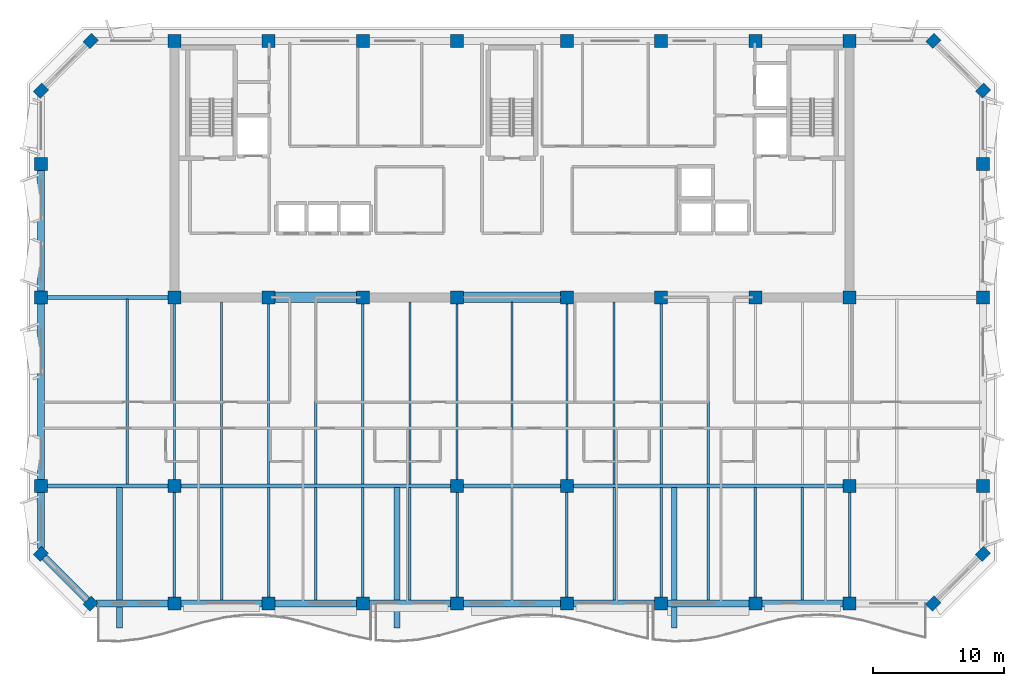
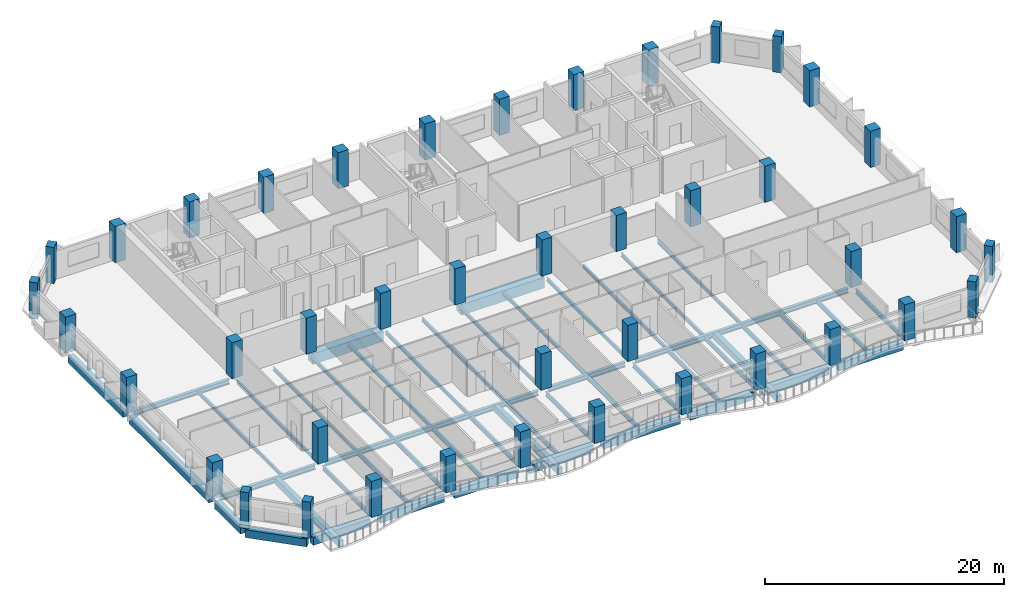
# One storey, part 1 of 11: 50 beams, 42 columns.
"""IFC4 building model written with IfcOpenShell, lengths in metres."""

import ifcopenshell
import ifcopenshell.guid

model = None  # the IFC model being written
_history = None  # IfcOwnerHistory: only IFC2X3 demands one
_inside = {}  # id of a spatial element -> (the spatial element, [elements in it])
_under = {}  # id of a project, library or spatial element -> (it, [spatial elements below it])
_declared = {}  # id of a project -> (the project, [libraries it declares])
_typed = {}  # id of a type object -> (the type object, [elements of that type])
_made_of = {}  # id of a material, layer set ... -> (it, [elements and type objects made of it])


def new_model(schema):
    """Start an empty IFC model of exactly this schema.

    Asked for "IFC4X3", IfcOpenShell would pick the latest addendum, in which some entities
    have other attributes; the version numbers below select the first issue.
    IFC2X3 requires an IfcOwnerHistory on every rooted entity: one is made here for all.
    """
    global model, _history
    if schema == "IFC4X3":
        model = ifcopenshell.file(schema_version=(4, 3, 0, 0))
    else:
        model = ifcopenshell.file(schema=schema)
    _inside.clear()
    _under.clear()
    _declared.clear()
    _typed.clear()
    _made_of.clear()
    _history = None
    if model.schema == "IFC2X3":
        org = make("IfcOrganization", Name="unknown")
        user = make(
            "IfcPersonAndOrganization",
            ThePerson=make("IfcPerson", FamilyName="unknown"),
            TheOrganization=org,
        )
        app = make(
            "IfcApplication",
            ApplicationDeveloper=org,
            Version="unknown",
            ApplicationFullName="unknown",
            ApplicationIdentifier="unknown",
        )
        _history = make(
            "IfcOwnerHistory",
            OwningUser=user,
            OwningApplication=app,
            ChangeAction="ADDED",
            CreationDate=0,
        )
    return model


def make(cls, **values):
    """One entity of the class cls with the attributes given. An attribute that is None is left unset."""
    return model.create_entity(
        cls, **{name: value for name, value in values.items() if value is not None}
    )


def rooted(cls, **values):
    """An entity with a GlobalId (a new one), such as an element, a storey or a relation."""
    return make(cls, GlobalId=ifcopenshell.guid.new(), OwnerHistory=_history, **values)


def si_unit(unit_type, name, prefix=None):
    """IfcSIUnit, for example si_unit("LENGTHUNIT", "METRE", prefix="MILLI")."""
    return make("IfcSIUnit", UnitType=unit_type, Prefix=prefix, Name=name)


def assignment(units):
    """IfcUnitAssignment: the units of a project."""
    return None if units is None else make("IfcUnitAssignment", Units=units)


def point(xyz):
    """IfcCartesianPoint."""
    return None if xyz is None else make("IfcCartesianPoint", Coordinates=xyz)


def direction(xyz):
    """IfcDirection."""
    return None if xyz is None else make("IfcDirection", DirectionRatios=xyz)


def frame(location, z_axis=None, x_axis=None):
    """IfcAxis2Placement3D, a coordinate frame: its origin and axes. An axis left out is left unset."""
    return make(
        "IfcAxis2Placement3D",
        Location=point(location),
        Axis=direction(z_axis),
        RefDirection=direction(x_axis),
    )


def frame_2d(location, x_axis=None):
    """IfcAxis2Placement2D, a coordinate frame in the plane: its origin and x axis."""
    return make(
        "IfcAxis2Placement2D", Location=point(location), RefDirection=direction(x_axis)
    )


def origin():
    """The frame at (0, 0, 0) with its axes left unset."""
    return frame((0.0, 0.0, 0.0))


def origin_2d():
    """The frame at (0, 0) in the plane with its x axis left unset."""
    return frame_2d((0.0, 0.0))


def place(relative_to, where):
    """IfcLocalPlacement: puts the frame where relative to a parent placement (None: the world)."""
    return make(
        "IfcLocalPlacement", PlacementRelTo=relative_to, RelativePlacement=where
    )


def context(
    kind, dimensions, precision=None, world=None, true_north=None, identifier=None
):
    """IfcGeometricRepresentationContext, for example the 3D "Model" context."""
    return make(
        "IfcGeometricRepresentationContext",
        ContextIdentifier=identifier,
        ContextType=kind,
        CoordinateSpaceDimension=dimensions,
        Precision=precision,
        WorldCoordinateSystem=world,
        TrueNorth=true_north,
    )


def subcontext(parent, identifier, kind, view, scale=None):
    """IfcGeometricRepresentationSubContext, for example "Body" below "Model"."""
    return make(
        "IfcGeometricRepresentationSubContext",
        ContextIdentifier=identifier,
        ContextType=kind,
        ParentContext=parent,
        TargetScale=scale,
        TargetView=view,
    )


def project(units=None, contexts=None):
    """IfcProject with its units and contexts."""
    return rooted(
        "IfcProject",
        Name="project",
        RepresentationContexts=contexts,
        UnitsInContext=assignment(units),
    )


def spatial(cls, under=None, at=None, **own):
    """A site, building, storey or space (cls), placed at a placement, below another one or the project."""
    s = rooted(cls, ObjectPlacement=at, **own)
    if under is not None:
        _under.setdefault(under.id(), (under, []))[1].append(s)
    return s


def profile(cls, at=None, kind="AREA", **sizes):
    """A parametric profile (cls). Its sizes go by their IFC names, for example OverallWidth=200.0."""
    return make(cls, ProfileType=kind, Position=at, **sizes)


def rectangle(**sizes):
    """IfcRectangleProfileDef."""
    return profile("IfcRectangleProfileDef", **sizes)


def i_section(**sizes):
    """IfcIShapeProfileDef."""
    return profile("IfcIShapeProfileDef", **sizes)


def extrude(swept, where, along, depth):
    """IfcExtrudedAreaSolid: the profile swept, set in the frame where, extruded along a direction by depth."""
    return make(
        "IfcExtrudedAreaSolid",
        SweptArea=swept,
        Position=where,
        ExtrudedDirection=direction(along),
        Depth=depth,
    )


def shape(context_of_items, identifier, shape_type, items):
    """IfcShapeRepresentation: the items that make up one representation, for example the "Body"."""
    return make(
        "IfcShapeRepresentation",
        ContextOfItems=context_of_items,
        RepresentationIdentifier=identifier,
        RepresentationType=shape_type,
        Items=items,
    )


def material(Name=None, Category=None):
    """IfcMaterial."""
    return make("IfcMaterial", Name=Name, Category=Category)


def material_profile(
    of_material, cross_section, Name=None, Category=None, Priority=None
):
    """IfcMaterialProfile: a cross section and its material."""
    return make(
        "IfcMaterialProfile",
        Name=Name,
        Material=of_material,
        Profile=cross_section,
        Priority=Priority,
        Category=Category,
    )


def profile_set(profiles, Name=None, composite=None):
    """IfcMaterialProfileSet."""
    return make(
        "IfcMaterialProfileSet",
        Name=Name,
        MaterialProfiles=profiles,
        CompositeProfile=composite,
    )


def made_of(thing, what):
    """Note that an element or type object is made of a material, layer set ...; save() writes the relation."""
    if what is not None:
        _made_of.setdefault(what.id(), (what, []))[1].append(thing)
    return thing


def type_object(cls, material=None, **own):
    """A type object (cls), such as IfcWallType, which elements share."""
    return made_of(rooted(cls, **own), material)


def element(
    cls,
    number,
    at=None,
    inside=None,
    cuts=None,
    type_object=None,
    material=None,
    context=None,
    identifier="Body",
    shape_type=None,
    held_by="IfcProductDefinitionShape",
    body=None,
    shapes=None,
    **own,
):
    """One element of the class cls, such as IfcWall. Its Tag is "e" and its number.

    at: its placement. inside: the storey or other place that contains it. cuts: it is an
    opening in that element (IfcRelVoidsElement). A single representation is given by context,
    identifier, shape_type and body (its items); several are given by shapes. held_by: the class
    of the entity that holds the representations. save() writes the other relations.
    """
    e = rooted(cls, Tag="e%d" % number, ObjectPlacement=at, **own)
    if body is not None:
        shapes = [shape(context, identifier, shape_type, body)]
    if shapes is not None:
        e.Representation = make(held_by, Representations=shapes)
    if inside is not None:
        _inside.setdefault(inside.id(), (inside, []))[1].append(e)
    if cuts is not None:
        rooted(
            "IfcRelVoidsElement", RelatingBuildingElement=cuts, RelatedOpeningElement=e
        )
    if type_object is not None:
        _typed.setdefault(type_object.id(), (type_object, []))[1].append(e)
    return made_of(e, material)


def aggregate(whole, parts):
    """IfcRelAggregates: a whole, such as a stair, and the parts it consists of."""
    return rooted("IfcRelAggregates", RelatingObject=whole, RelatedObjects=parts)


def save(model, path):
    """Write the relations noted so far, then the file.

    IfcRelAggregates (storeys below a building ...), IfcRelContainedInSpatialStructure (elements
    in a storey), IfcRelDefinesByType, IfcRelAssociatesMaterial and IfcRelDeclares: one each for
    every whole, place, type object, material and project.
    """
    for whole, parts in _under.values():
        aggregate(whole, parts)
    for where, things in _inside.values():
        rooted(
            "IfcRelContainedInSpatialStructure",
            RelatedElements=things,
            RelatingStructure=where,
        )
    for kind, things in _typed.values():
        rooted("IfcRelDefinesByType", RelatedObjects=things, RelatingType=kind)
    for what, things in _made_of.values():
        rooted("IfcRelAssociatesMaterial", RelatedObjects=things, RelatingMaterial=what)
    for by, libraries in _declared.values():
        rooted("IfcRelDeclares", RelatingContext=by, RelatedDefinitions=libraries)
    model.write(path)


model = new_model("IFC4")

# Units and contexts
model_context = context("Model", 3, precision=1e-05, world=origin(), true_north=direction((0.0, 1.0)))
body_context = subcontext(model_context, "Body", "Model", "MODEL_VIEW")
ifc_project = project(units=[si_unit("LENGTHUNIT", "METRE"), si_unit("AREAUNIT", "SQUARE_METRE"), si_unit("VOLUMEUNIT", "CUBIC_METRE"), si_unit("PLANEANGLEUNIT", "RADIAN"), si_unit("MASSUNIT", "GRAM", prefix="KILO")], contexts=[model_context])

# Site, building, storey
site_placement = place(None, origin())
site = spatial("IfcSite", under=ifc_project, at=site_placement, CompositionType="ELEMENT")
building_placement = place(site_placement, origin())
building = spatial("IfcBuilding", under=site, at=building_placement, Name="Kaelvorn Grand Hotel", CompositionType="ELEMENT")
storey_placement = place(building_placement, frame((0.0, 0.0, 248.89990234375)))
storey = spatial("IfcBuildingStorey", under=building, at=storey_placement, Name="L61", CompositionType="ELEMENT", Elevation=248.89990234375)

# Columns
ifc_material_1 = material(Name="Concrete C60/75", Category="concrete")
ifc_material_profile_1 = material_profile(ifc_material_1, rectangle(XDim=0.89990234375, YDim=0.75, at=origin_2d()), Name="RC PILASTER 900x750")
ifc_profile_set_1 = profile_set([ifc_material_profile_1], Name="Concrete C60/75")
column_type_1 = type_object("IfcColumnType", Name="COL-PIL-900x750-C60", PredefinedType="PILASTER", material=ifc_profile_set_1)
for number, where, z_axis, x_axis, name in (
    (1, (9.800048828125, 6.0, 0.0), (0.0, 0.0, 1.0), (0.707106781187, 0.707106781187, 0.0), "L61 Structural Column CH-01"),
    (2, (74.199951171875, 6.0, 0.0), (0.0, 0.0, 1.0), (0.707106781187, 0.707106781187, 0.0), "L61 Structural Column CH-02"),
    (3, (78.0, 9.800048828125, 0.0), (0.0, 0.0, 1.0), (0.707106781187, 0.707106781187, 0.0), "L61 Structural Column CH-03"),
    (4, (78.0, 45.199951171875, 0.0), (0.0, 0.0, 1.0), (0.707106781187, 0.707106781187, 0.0), "L61 Structural Column CH-04"),
    (5, (74.199951171875, 49.0, 0.0), (0.0, 0.0, 1.0), (0.707106781187, 0.707106781187, 0.0), "L61 Structural Column CH-05"),
    (6, (9.800048828125, 49.0, 0.0), (0.0, 0.0, 1.0), (0.707106781187, 0.707106781187, 0.0), "L61 Structural Column CH-06"),
    (7, (6.0, 45.199951171875, 0.0), (0.0, 0.0, 1.0), (0.707106781187, 0.707106781187, 0.0), "L61 Structural Column CH-07"),
    (8, (6.0, 9.800048828125, 0.0), (0.0, 0.0, 1.0), (0.707106781187, 0.707106781187, 0.0), "L61 Structural Column CH-08"),
):
    element("IfcColumn", number, at=place(storey_placement, frame(where, z_axis=z_axis, x_axis=x_axis)), inside=storey, type_object=column_type_1, Name=name, PredefinedType="PILASTER", context=body_context, shape_type="SweptSolid", body=[
        extrude(rectangle(XDim=0.89990234375, YDim=0.75, at=origin_2d()), origin(), (0.0, 0.0, 1.0), 3.710205078125),
    ])
ifc_material_2 = material(Name="Concrete C50/60", Category="concrete")
ifc_material_profile_2 = material_profile(ifc_material_2, rectangle(XDim=1.0, YDim=1.0, at=origin_2d()), Name="RC COL 1000x1000")
ifc_profile_set_2 = profile_set([ifc_material_profile_2], Name="Concrete C50/60")
column_type_2 = type_object("IfcColumnType", Name="COL-RC-1000-C50", PredefinedType="COLUMN", material=ifc_profile_set_2)
for number, where, z_axis, x_axis, name in (
    (9, (16.199951171875, 6.0, 0.0), (0.0, 0.0, 1.0), (1.0, 0.0, 0.0), "L61 Structural Column S-01"),
    (10, (23.39990234375, 6.0, 0.0), (0.0, 0.0, 1.0), (1.0, 0.0, 0.0), "L61 Structural Column S-02"),
    (11, (30.60009765625, 6.0, 0.0), (0.0, 0.0, 1.0), (1.0, 0.0, 0.0), "L61 Structural Column S-03"),
    (12, (37.800048828125, 6.0, 0.0), (0.0, 0.0, 1.0), (1.0, 0.0, 0.0), "L61 Structural Column S-04"),
    (13, (46.199951171875, 6.0, 0.0), (0.0, 0.0, 1.0), (1.0, 0.0, 0.0), "L61 Structural Column S-05"),
    (14, (53.39990234375, 6.0, 0.0), (0.0, 0.0, 1.0), (1.0, 0.0, 0.0), "L61 Structural Column S-06"),
    (15, (60.60009765625, 6.0, 0.0), (0.0, 0.0, 1.0), (1.0, 0.0, 0.0), "L61 Structural Column S-07"),
    (16, (67.800048828125, 6.0, 0.0), (0.0, 0.0, 1.0), (1.0, 0.0, 0.0), "L61 Structural Column S-08"),
    (17, (6.0, 15.0, 0.0), (0.0, 0.0, 1.0), (1.0, 0.0, 0.0), "L61 Structural Column W-01"),
    (18, (78.0, 15.0, 0.0), (0.0, 0.0, 1.0), (1.0, 0.0, 0.0), "L61 Structural Column E-01"),
    (19, (6.0, 29.39990234375, 0.0), (0.0, 0.0, 1.0), (1.0, 0.0, 0.0), "L61 Structural Column W-02"),
    (20, (78.0, 29.39990234375, 0.0), (0.0, 0.0, 1.0), (1.0, 0.0, 0.0), "L61 Structural Column E-02"),
    (21, (6.0, 39.60009765625, 0.0), (0.0, 0.0, 1.0), (1.0, 0.0, 0.0), "L61 Structural Column W-03"),
    (22, (78.0, 39.60009765625, 0.0), (0.0, 0.0, 1.0), (1.0, 0.0, 0.0), "L61 Structural Column E-03"),
    (23, (16.199951171875, 15.0, 0.0), (0.0, 0.0, 1.0), (1.0, 0.0, 0.0), "L61 Structural Column M-01"),
    (24, (37.800048828125, 15.0, 0.0), (0.0, 0.0, 1.0), (1.0, 0.0, 0.0), "L61 Structural Column M-02"),
    (25, (46.199951171875, 15.0, 0.0), (0.0, 0.0, 1.0), (1.0, 0.0, 0.0), "L61 Structural Column M-03"),
    (26, (67.800048828125, 15.0, 0.0), (0.0, 0.0, 1.0), (1.0, 0.0, 0.0), "L61 Structural Column M-04"),
    (27, (16.199951171875, 29.39990234375, 0.0), (0.0, 0.0, 1.0), (1.0, 0.0, 0.0), "L61 Structural Column CR1-01"),
    (28, (16.199951171875, 49.0, 0.0), (0.0, 0.0, 1.0), (1.0, 0.0, 0.0), "L61 Structural Column CR2-01"),
    (29, (23.39990234375, 29.39990234375, 0.0), (0.0, 0.0, 1.0), (1.0, 0.0, 0.0), "L61 Structural Column CR1-02"),
    (30, (23.39990234375, 49.0, 0.0), (0.0, 0.0, 1.0), (1.0, 0.0, 0.0), "L61 Structural Column CR2-02"),
    (31, (30.60009765625, 29.39990234375, 0.0), (0.0, 0.0, 1.0), (1.0, 0.0, 0.0), "L61 Structural Column CR1-03"),
    (32, (30.60009765625, 49.0, 0.0), (0.0, 0.0, 1.0), (1.0, 0.0, 0.0), "L61 Structural Column CR2-03"),
    (33, (37.800048828125, 29.39990234375, 0.0), (0.0, 0.0, 1.0), (1.0, 0.0, 0.0), "L61 Structural Column CR1-04"),
    (34, (37.800048828125, 49.0, 0.0), (0.0, 0.0, 1.0), (1.0, 0.0, 0.0), "L61 Structural Column CR2-04"),
    (35, (46.199951171875, 29.39990234375, 0.0), (0.0, 0.0, 1.0), (1.0, 0.0, 0.0), "L61 Structural Column CR1-05"),
    (36, (46.199951171875, 49.0, 0.0), (0.0, 0.0, 1.0), (1.0, 0.0, 0.0), "L61 Structural Column CR2-05"),
    (37, (53.39990234375, 29.39990234375, 0.0), (0.0, 0.0, 1.0), (1.0, 0.0, 0.0), "L61 Structural Column CR1-06"),
    (38, (53.39990234375, 49.0, 0.0), (0.0, 0.0, 1.0), (1.0, 0.0, 0.0), "L61 Structural Column CR2-06"),
    (39, (60.60009765625, 29.39990234375, 0.0), (0.0, 0.0, 1.0), (1.0, 0.0, 0.0), "L61 Structural Column CR1-07"),
    (40, (60.60009765625, 49.0, 0.0), (0.0, 0.0, 1.0), (1.0, 0.0, 0.0), "L61 Structural Column CR2-07"),
    (41, (67.800048828125, 29.39990234375, 0.0), (0.0, 0.0, 1.0), (1.0, 0.0, 0.0), "L61 Structural Column CR1-08"),
    (42, (67.800048828125, 49.0, 0.0), (0.0, 0.0, 1.0), (1.0, 0.0, 0.0), "L61 Structural Column CR2-08"),
):
    element("IfcColumn", number, at=place(storey_placement, frame(where, z_axis=z_axis, x_axis=x_axis)), inside=storey, type_object=column_type_2, Name=name, PredefinedType="COLUMN", context=body_context, shape_type="SweptSolid", body=[
        extrude(rectangle(XDim=1.0, YDim=1.0, at=origin_2d()), origin(), (0.0, 0.0, 1.0), 3.710205078125),
    ])

# Beams
ifc_material_3 = material(Name="Steel S355", Category="steel")
ifc_material_profile_3 = material_profile(ifc_material_3, i_section(OverallWidth=0.300048828125, OverallDepth=0.5, WebThickness=0.014404296875, FlangeThickness=0.028076171875, FilletRadius=0.027099609375, at=origin_2d()), Name="HEB 500")
ifc_profile_set_3 = profile_set([ifc_material_profile_3], Name="Steel S355")
beam_type_1 = type_object("IfcBeamType", Name="BM-G-HEB500-S355", PredefinedType="BEAM", material=ifc_profile_set_3)
beam_1_placement = place(storey_placement, frame((6.485107421875, 15.0, -0.489990234375), z_axis=(1.0, 0.0, 0.0), x_axis=(0.0, 1.0, 0.0)))
element("IfcBeam", 43, at=beam_1_placement, inside=storey, type_object=beam_type_1, Name="L61 Primary Spine Steel Girder G-15 01", PredefinedType="BEAM", context=body_context, shape_type="SweptSolid", body=[
    extrude(i_section(OverallWidth=0.300048828125, OverallDepth=0.5, WebThickness=0.014404296875, FlangeThickness=0.028076171875, FilletRadius=0.027099609375, at=origin_2d()), origin(), (0.0, 0.0, 1.0), 9.22998046875),
])
beam_2_placement = place(storey_placement, frame((16.68505859375, 15.0, -0.489990234375), z_axis=(1.0, 0.0, 0.0), x_axis=(0.0, 1.0, 0.0)))
element("IfcBeam", 44, at=beam_2_placement, inside=storey, type_object=beam_type_1, Name="L61 Primary Spine Steel Girder G-15 02", PredefinedType="BEAM", context=body_context, shape_type="SweptSolid", body=[
    extrude(i_section(OverallWidth=0.300048828125, OverallDepth=0.5, WebThickness=0.014404296875, FlangeThickness=0.028076171875, FilletRadius=0.027099609375, at=origin_2d()), origin(), (0.0, 0.0, 1.0), 20.6298828125),
])
beam_3_placement = place(storey_placement, frame((38.284912109375, 15.0, -0.489990234375), z_axis=(1.0, 0.0, 0.0), x_axis=(0.0, 1.0, 0.0)))
element("IfcBeam", 45, at=beam_3_placement, inside=storey, type_object=beam_type_1, Name="L61 Primary Spine Steel Girder G-15 03", PredefinedType="BEAM", context=body_context, shape_type="SweptSolid", body=[
    extrude(i_section(OverallWidth=0.300048828125, OverallDepth=0.5, WebThickness=0.014404296875, FlangeThickness=0.028076171875, FilletRadius=0.027099609375, at=origin_2d()), origin(), (0.0, 0.0, 1.0), 7.43017578125),
])
beam_4_placement = place(storey_placement, frame((46.68505859375, 15.0, -0.489990234375), z_axis=(1.0, 0.0, 0.0), x_axis=(0.0, 1.0, 0.0)))
element("IfcBeam", 46, at=beam_4_placement, inside=storey, type_object=beam_type_1, Name="L61 Primary Spine Steel Girder G-15 04", PredefinedType="BEAM", context=body_context, shape_type="SweptSolid", body=[
    extrude(i_section(OverallWidth=0.300048828125, OverallDepth=0.5, WebThickness=0.014404296875, FlangeThickness=0.028076171875, FilletRadius=0.027099609375, at=origin_2d()), origin(), (0.0, 0.0, 1.0), 20.6298828125),
])
beam_5_placement = place(storey_placement, frame((6.485107421875, 29.39990234375, -0.489990234375), z_axis=(1.0, 0.0, 0.0), x_axis=(0.0, 1.0, 0.0)))
element("IfcBeam", 47, at=beam_5_placement, inside=storey, type_object=beam_type_1, Name="L61 West Core Wing Steel Girder G-29W 01", PredefinedType="BEAM", context=body_context, shape_type="SweptSolid", body=[
    extrude(i_section(OverallWidth=0.300048828125, OverallDepth=0.5, WebThickness=0.014404296875, FlangeThickness=0.028076171875, FilletRadius=0.027099609375, at=origin_2d()), origin(), (0.0, 0.0, 1.0), 9.22998046875),
])
ifc_material_profile_4 = material_profile(ifc_material_3, i_section(OverallWidth=0.169921875, OverallDepth=0.360107421875, WebThickness=0.008056640625, FlangeThickness=0.0126953125, FilletRadius=0.01806640625, at=origin_2d()), Name="IPE 360")
ifc_profile_set_4 = profile_set([ifc_material_profile_4], Name="Steel S355")
beam_type_2 = type_object("IfcBeamType", Name="BM-J-IPE360-S355", PredefinedType="JOIST", material=ifc_profile_set_4)
beam_6_placement = place(storey_placement, frame((12.60009765625, 15.135009765625, -0.419921875), z_axis=(0.0, 1.0, 0.0), x_axis=(-1.0, 0.0, 0.0)))
element("IfcBeam", 48, at=beam_6_placement, inside=storey, type_object=beam_type_2, Name="L61 Composite Floor Joist JM-04", PredefinedType="JOIST", context=body_context, shape_type="SweptSolid", body=[
    extrude(i_section(OverallWidth=0.169921875, OverallDepth=0.360107421875, WebThickness=0.008056640625, FlangeThickness=0.0126953125, FilletRadius=0.01806640625, at=origin_2d()), origin(), (0.0, 0.0, 1.0), 14.1298828125),
])
beam_7_placement = place(storey_placement, frame((16.199951171875, 15.485107421875, -0.419921875), z_axis=(0.0, 1.0, 0.0), x_axis=(-1.0, 0.0, 0.0)))
element("IfcBeam", 49, at=beam_7_placement, inside=storey, type_object=beam_type_2, Name="L61 Composite Floor Joist JM-05", PredefinedType="JOIST", context=body_context, shape_type="SweptSolid", body=[
    extrude(i_section(OverallWidth=0.169921875, OverallDepth=0.360107421875, WebThickness=0.008056640625, FlangeThickness=0.0126953125, FilletRadius=0.01806640625, at=origin_2d()), origin(), (0.0, 0.0, 1.0), 13.429931640625),
])
beam_8_placement = place(storey_placement, frame((19.800048828125, 15.135009765625, -0.419921875), z_axis=(0.0, 1.0, 0.0), x_axis=(-1.0, 0.0, 0.0)))
element("IfcBeam", 50, at=beam_8_placement, inside=storey, type_object=beam_type_2, Name="L61 Composite Floor Joist JM-06", PredefinedType="JOIST", context=body_context, shape_type="SweptSolid", body=[
    extrude(i_section(OverallWidth=0.169921875, OverallDepth=0.360107421875, WebThickness=0.008056640625, FlangeThickness=0.0126953125, FilletRadius=0.01806640625, at=origin_2d()), origin(), (0.0, 0.0, 1.0), 13.925048828125),
])
beam_9_placement = place(storey_placement, frame((23.39990234375, 15.135009765625, -0.419921875), z_axis=(0.0, 1.0, 0.0), x_axis=(-1.0, 0.0, 0.0)))
element("IfcBeam", 51, at=beam_9_placement, inside=storey, type_object=beam_type_2, Name="L61 Composite Floor Joist JM-07", PredefinedType="JOIST", context=body_context, shape_type="SweptSolid", body=[
    extrude(i_section(OverallWidth=0.169921875, OverallDepth=0.360107421875, WebThickness=0.008056640625, FlangeThickness=0.0126953125, FilletRadius=0.01806640625, at=origin_2d()), origin(), (0.0, 0.0, 1.0), 13.780029296875),
])
beam_10_placement = place(storey_placement, frame((27.0, 15.135009765625, -0.419921875), z_axis=(0.0, 1.0, 0.0), x_axis=(-1.0, 0.0, 0.0)))
element("IfcBeam", 52, at=beam_10_placement, inside=storey, type_object=beam_type_2, Name="L61 Composite Floor Joist JM-08", PredefinedType="JOIST", context=body_context, shape_type="SweptSolid", body=[
    extrude(i_section(OverallWidth=0.169921875, OverallDepth=0.360107421875, WebThickness=0.008056640625, FlangeThickness=0.0126953125, FilletRadius=0.01806640625, at=origin_2d()), origin(), (0.0, 0.0, 1.0), 13.925048828125),
])
beam_11_placement = place(storey_placement, frame((30.60009765625, 15.135009765625, -0.419921875), z_axis=(0.0, 1.0, 0.0), x_axis=(-1.0, 0.0, 0.0)))
element("IfcBeam", 53, at=beam_11_placement, inside=storey, type_object=beam_type_2, Name="L61 Composite Floor Joist JM-09", PredefinedType="JOIST", context=body_context, shape_type="SweptSolid", body=[
    extrude(i_section(OverallWidth=0.169921875, OverallDepth=0.360107421875, WebThickness=0.008056640625, FlangeThickness=0.0126953125, FilletRadius=0.01806640625, at=origin_2d()), origin(), (0.0, 0.0, 1.0), 13.780029296875),
])
beam_12_placement = place(storey_placement, frame((34.199951171875, 15.135009765625, -0.419921875), z_axis=(0.0, 1.0, 0.0), x_axis=(-1.0, 0.0, 0.0)))
element("IfcBeam", 54, at=beam_12_placement, inside=storey, type_object=beam_type_2, Name="L61 Composite Floor Joist JM-10", PredefinedType="JOIST", context=body_context, shape_type="SweptSolid", body=[
    extrude(i_section(OverallWidth=0.169921875, OverallDepth=0.360107421875, WebThickness=0.008056640625, FlangeThickness=0.0126953125, FilletRadius=0.01806640625, at=origin_2d()), origin(), (0.0, 0.0, 1.0), 13.925048828125),
])
beam_13_placement = place(storey_placement, frame((37.800048828125, 15.485107421875, -0.419921875), z_axis=(0.0, 1.0, 0.0), x_axis=(-1.0, 0.0, 0.0)))
element("IfcBeam", 55, at=beam_13_placement, inside=storey, type_object=beam_type_2, Name="L61 Composite Floor Joist JM-11", PredefinedType="JOIST", context=body_context, shape_type="SweptSolid", body=[
    extrude(i_section(OverallWidth=0.169921875, OverallDepth=0.360107421875, WebThickness=0.008056640625, FlangeThickness=0.0126953125, FilletRadius=0.01806640625, at=origin_2d()), origin(), (0.0, 0.0, 1.0), 13.429931640625),
])
beam_14_placement = place(storey_placement, frame((42.0, 15.135009765625, -0.419921875), z_axis=(0.0, 1.0, 0.0), x_axis=(-1.0, 0.0, 0.0)))
element("IfcBeam", 56, at=beam_14_placement, inside=storey, type_object=beam_type_2, Name="L61 Composite Floor Joist JM-12", PredefinedType="JOIST", context=body_context, shape_type="SweptSolid", body=[
    extrude(i_section(OverallWidth=0.169921875, OverallDepth=0.360107421875, WebThickness=0.008056640625, FlangeThickness=0.0126953125, FilletRadius=0.01806640625, at=origin_2d()), origin(), (0.0, 0.0, 1.0), 13.925048828125),
])
beam_15_placement = place(storey_placement, frame((46.199951171875, 15.485107421875, -0.419921875), z_axis=(0.0, 1.0, 0.0), x_axis=(-1.0, 0.0, 0.0)))
element("IfcBeam", 57, at=beam_15_placement, inside=storey, type_object=beam_type_2, Name="L61 Composite Floor Joist JM-13", PredefinedType="JOIST", context=body_context, shape_type="SweptSolid", body=[
    extrude(i_section(OverallWidth=0.169921875, OverallDepth=0.360107421875, WebThickness=0.008056640625, FlangeThickness=0.0126953125, FilletRadius=0.01806640625, at=origin_2d()), origin(), (0.0, 0.0, 1.0), 13.429931640625),
])
beam_16_placement = place(storey_placement, frame((49.800048828125, 15.135009765625, -0.419921875), z_axis=(0.0, 1.0, 0.0), x_axis=(-1.0, 0.0, 0.0)))
element("IfcBeam", 58, at=beam_16_placement, inside=storey, type_object=beam_type_2, Name="L61 Composite Floor Joist JM-14", PredefinedType="JOIST", context=body_context, shape_type="SweptSolid", body=[
    extrude(i_section(OverallWidth=0.169921875, OverallDepth=0.360107421875, WebThickness=0.008056640625, FlangeThickness=0.0126953125, FilletRadius=0.01806640625, at=origin_2d()), origin(), (0.0, 0.0, 1.0), 13.925048828125),
])
beam_17_placement = place(storey_placement, frame((53.39990234375, 15.135009765625, -0.419921875), z_axis=(0.0, 1.0, 0.0), x_axis=(-1.0, 0.0, 0.0)))
element("IfcBeam", 59, at=beam_17_placement, inside=storey, type_object=beam_type_2, Name="L61 Composite Floor Joist JM-15", PredefinedType="JOIST", context=body_context, shape_type="SweptSolid", body=[
    extrude(i_section(OverallWidth=0.169921875, OverallDepth=0.360107421875, WebThickness=0.008056640625, FlangeThickness=0.0126953125, FilletRadius=0.01806640625, at=origin_2d()), origin(), (0.0, 0.0, 1.0), 13.780029296875),
])
beam_18_placement = place(storey_placement, frame((57.0, 15.135009765625, -0.419921875), z_axis=(0.0, 1.0, 0.0), x_axis=(-1.0, 0.0, 0.0)))
element("IfcBeam", 60, at=beam_18_placement, inside=storey, type_object=beam_type_2, Name="L61 Composite Floor Joist JM-16", PredefinedType="JOIST", context=body_context, shape_type="SweptSolid", body=[
    extrude(i_section(OverallWidth=0.169921875, OverallDepth=0.360107421875, WebThickness=0.008056640625, FlangeThickness=0.0126953125, FilletRadius=0.01806640625, at=origin_2d()), origin(), (0.0, 0.0, 1.0), 13.925048828125),
])
ifc_material_profile_5 = material_profile(ifc_material_3, i_section(OverallWidth=0.18994140625, OverallDepth=0.449951171875, WebThickness=0.009521484375, FlangeThickness=0.0146484375, FilletRadius=0.02099609375, at=origin_2d()), Name="IPE 450")
ifc_profile_set_5 = profile_set([ifc_material_profile_5], Name="Steel S355")
beam_type_3 = type_object("IfcBeamType", Name="BM-J-IPE450-S355", PredefinedType="JOIST", material=ifc_profile_set_5)
beam_19_placement = place(storey_placement, frame((16.199951171875, 6.485107421875, -0.46484375), z_axis=(0.0, 1.0, 0.0), x_axis=(-1.0, 0.0, 0.0)))
element("IfcBeam", 61, at=beam_19_placement, inside=storey, type_object=beam_type_3, Name="L61 Composite Floor Joist JS-05", PredefinedType="JOIST", context=body_context, shape_type="SweptSolid", body=[
    extrude(i_section(OverallWidth=0.18994140625, OverallDepth=0.449951171875, WebThickness=0.009521484375, FlangeThickness=0.0146484375, FilletRadius=0.02099609375, at=origin_2d()), origin(), (0.0, 0.0, 1.0), 8.02978515625),
])
beam_20_placement = place(storey_placement, frame((19.800048828125, 6.260009765625, -0.46484375), z_axis=(0.0, 1.0, 0.0), x_axis=(-1.0, 0.0, 0.0)))
element("IfcBeam", 62, at=beam_20_placement, inside=storey, type_object=beam_type_3, Name="L61 Composite Floor Joist JS-06", PredefinedType="JOIST", context=body_context, shape_type="SweptSolid", body=[
    extrude(i_section(OverallWidth=0.18994140625, OverallDepth=0.449951171875, WebThickness=0.009521484375, FlangeThickness=0.0146484375, FilletRadius=0.02099609375, at=origin_2d()), origin(), (0.0, 0.0, 1.0), 8.60498046875),
])
beam_21_placement = place(storey_placement, frame((23.39990234375, 6.485107421875, -0.46484375), z_axis=(0.0, 1.0, 0.0), x_axis=(-1.0, 0.0, 0.0)))
element("IfcBeam", 63, at=beam_21_placement, inside=storey, type_object=beam_type_3, Name="L61 Composite Floor Joist JS-07", PredefinedType="JOIST", context=body_context, shape_type="SweptSolid", body=[
    extrude(i_section(OverallWidth=0.18994140625, OverallDepth=0.449951171875, WebThickness=0.009521484375, FlangeThickness=0.0146484375, FilletRadius=0.02099609375, at=origin_2d()), origin(), (0.0, 0.0, 1.0), 8.3798828125),
])
beam_22_placement = place(storey_placement, frame((27.0, 6.260009765625, -0.46484375), z_axis=(0.0, 1.0, 0.0), x_axis=(-1.0, 0.0, 0.0)))
element("IfcBeam", 64, at=beam_22_placement, inside=storey, type_object=beam_type_3, Name="L61 Composite Floor Joist JS-08", PredefinedType="JOIST", context=body_context, shape_type="SweptSolid", body=[
    extrude(i_section(OverallWidth=0.18994140625, OverallDepth=0.449951171875, WebThickness=0.009521484375, FlangeThickness=0.0146484375, FilletRadius=0.02099609375, at=origin_2d()), origin(), (0.0, 0.0, 1.0), 8.60498046875),
])
beam_23_placement = place(storey_placement, frame((30.60009765625, 6.485107421875, -0.46484375), z_axis=(0.0, 1.0, 0.0), x_axis=(-1.0, 0.0, 0.0)))
element("IfcBeam", 65, at=beam_23_placement, inside=storey, type_object=beam_type_3, Name="L61 Composite Floor Joist JS-09", PredefinedType="JOIST", context=body_context, shape_type="SweptSolid", body=[
    extrude(i_section(OverallWidth=0.18994140625, OverallDepth=0.449951171875, WebThickness=0.009521484375, FlangeThickness=0.0146484375, FilletRadius=0.02099609375, at=origin_2d()), origin(), (0.0, 0.0, 1.0), 8.3798828125),
])
beam_24_placement = place(storey_placement, frame((34.199951171875, 6.260009765625, -0.46484375), z_axis=(0.0, 1.0, 0.0), x_axis=(-1.0, 0.0, 0.0)))
element("IfcBeam", 66, at=beam_24_placement, inside=storey, type_object=beam_type_3, Name="L61 Composite Floor Joist JS-10", PredefinedType="JOIST", context=body_context, shape_type="SweptSolid", body=[
    extrude(i_section(OverallWidth=0.18994140625, OverallDepth=0.449951171875, WebThickness=0.009521484375, FlangeThickness=0.0146484375, FilletRadius=0.02099609375, at=origin_2d()), origin(), (0.0, 0.0, 1.0), 8.60498046875),
])
beam_25_placement = place(storey_placement, frame((37.800048828125, 6.485107421875, -0.46484375), z_axis=(0.0, 1.0, 0.0), x_axis=(-1.0, 0.0, 0.0)))
element("IfcBeam", 67, at=beam_25_placement, inside=storey, type_object=beam_type_3, Name="L61 Composite Floor Joist JS-11", PredefinedType="JOIST", context=body_context, shape_type="SweptSolid", body=[
    extrude(i_section(OverallWidth=0.18994140625, OverallDepth=0.449951171875, WebThickness=0.009521484375, FlangeThickness=0.0146484375, FilletRadius=0.02099609375, at=origin_2d()), origin(), (0.0, 0.0, 1.0), 8.02978515625),
])
beam_26_placement = place(storey_placement, frame((42.0, 6.260009765625, -0.46484375), z_axis=(0.0, 1.0, 0.0), x_axis=(-1.0, 0.0, 0.0)))
element("IfcBeam", 68, at=beam_26_placement, inside=storey, type_object=beam_type_3, Name="L61 Composite Floor Joist JS-12", PredefinedType="JOIST", context=body_context, shape_type="SweptSolid", body=[
    extrude(i_section(OverallWidth=0.18994140625, OverallDepth=0.449951171875, WebThickness=0.009521484375, FlangeThickness=0.0146484375, FilletRadius=0.02099609375, at=origin_2d()), origin(), (0.0, 0.0, 1.0), 8.60498046875),
])
beam_27_placement = place(storey_placement, frame((46.199951171875, 6.485107421875, -0.46484375), z_axis=(0.0, 1.0, 0.0), x_axis=(-1.0, 0.0, 0.0)))
element("IfcBeam", 69, at=beam_27_placement, inside=storey, type_object=beam_type_3, Name="L61 Composite Floor Joist JS-13", PredefinedType="JOIST", context=body_context, shape_type="SweptSolid", body=[
    extrude(i_section(OverallWidth=0.18994140625, OverallDepth=0.449951171875, WebThickness=0.009521484375, FlangeThickness=0.0146484375, FilletRadius=0.02099609375, at=origin_2d()), origin(), (0.0, 0.0, 1.0), 8.02978515625),
])
beam_28_placement = place(storey_placement, frame((49.800048828125, 6.260009765625, -0.46484375), z_axis=(0.0, 1.0, 0.0), x_axis=(-1.0, 0.0, 0.0)))
element("IfcBeam", 70, at=beam_28_placement, inside=storey, type_object=beam_type_3, Name="L61 Composite Floor Joist JS-14", PredefinedType="JOIST", context=body_context, shape_type="SweptSolid", body=[
    extrude(i_section(OverallWidth=0.18994140625, OverallDepth=0.449951171875, WebThickness=0.009521484375, FlangeThickness=0.0146484375, FilletRadius=0.02099609375, at=origin_2d()), origin(), (0.0, 0.0, 1.0), 8.60498046875),
])
beam_29_placement = place(storey_placement, frame((53.39990234375, 6.485107421875, -0.46484375), z_axis=(0.0, 1.0, 0.0), x_axis=(-1.0, 0.0, 0.0)))
element("IfcBeam", 71, at=beam_29_placement, inside=storey, type_object=beam_type_3, Name="L61 Composite Floor Joist JS-15", PredefinedType="JOIST", context=body_context, shape_type="SweptSolid", body=[
    extrude(i_section(OverallWidth=0.18994140625, OverallDepth=0.449951171875, WebThickness=0.009521484375, FlangeThickness=0.0146484375, FilletRadius=0.02099609375, at=origin_2d()), origin(), (0.0, 0.0, 1.0), 8.3798828125),
])
beam_30_placement = place(storey_placement, frame((57.0, 6.260009765625, -0.46484375), z_axis=(0.0, 1.0, 0.0), x_axis=(-1.0, 0.0, 0.0)))
element("IfcBeam", 72, at=beam_30_placement, inside=storey, type_object=beam_type_3, Name="L61 Composite Floor Joist JS-16", PredefinedType="JOIST", context=body_context, shape_type="SweptSolid", body=[
    extrude(i_section(OverallWidth=0.18994140625, OverallDepth=0.449951171875, WebThickness=0.009521484375, FlangeThickness=0.0146484375, FilletRadius=0.02099609375, at=origin_2d()), origin(), (0.0, 0.0, 1.0), 8.60498046875),
])
beam_31_placement = place(storey_placement, frame((60.60009765625, 6.485107421875, -0.46484375), z_axis=(0.0, 1.0, 0.0), x_axis=(-1.0, 0.0, 0.0)))
element("IfcBeam", 73, at=beam_31_placement, inside=storey, type_object=beam_type_3, Name="L61 Composite Floor Joist JS-17", PredefinedType="JOIST", context=body_context, shape_type="SweptSolid", body=[
    extrude(i_section(OverallWidth=0.18994140625, OverallDepth=0.449951171875, WebThickness=0.009521484375, FlangeThickness=0.0146484375, FilletRadius=0.02099609375, at=origin_2d()), origin(), (0.0, 0.0, 1.0), 8.3798828125),
])
beam_32_placement = place(storey_placement, frame((64.199951171875, 6.260009765625, -0.46484375), z_axis=(0.0, 1.0, 0.0), x_axis=(-1.0, 0.0, 0.0)))
element("IfcBeam", 74, at=beam_32_placement, inside=storey, type_object=beam_type_3, Name="L61 Composite Floor Joist JS-18", PredefinedType="JOIST", context=body_context, shape_type="SweptSolid", body=[
    extrude(i_section(OverallWidth=0.18994140625, OverallDepth=0.449951171875, WebThickness=0.009521484375, FlangeThickness=0.0146484375, FilletRadius=0.02099609375, at=origin_2d()), origin(), (0.0, 0.0, 1.0), 8.60498046875),
])
beam_33_placement = place(storey_placement, frame((67.800048828125, 6.485107421875, -0.46484375), z_axis=(0.0, 1.0, 0.0), x_axis=(-1.0, 0.0, 0.0)))
element("IfcBeam", 75, at=beam_33_placement, inside=storey, type_object=beam_type_3, Name="L61 Composite Floor Joist JS-19", PredefinedType="JOIST", context=body_context, shape_type="SweptSolid", body=[
    extrude(i_section(OverallWidth=0.18994140625, OverallDepth=0.449951171875, WebThickness=0.009521484375, FlangeThickness=0.0146484375, FilletRadius=0.02099609375, at=origin_2d()), origin(), (0.0, 0.0, 1.0), 8.02978515625),
])
ifc_material_profile_6 = material_profile(ifc_material_1, rectangle(XDim=0.800048828125, YDim=1.10009765625, at=origin_2d()), Name="RC LINTEL 800x1100")
ifc_profile_set_6 = profile_set([ifc_material_profile_6], Name="Concrete C60/75")
beam_type_4 = type_object("IfcBeamType", Name="BM-LIN-800x1100-C60", PredefinedType="LINTEL", material=ifc_profile_set_6)
beam_34_placement = place(storey_placement, frame((23.580078125, 29.39990234375, -0.789794921875), z_axis=(1.0, 0.0, 0.0), x_axis=(0.0, 1.0, 0.0)))
element("IfcBeam", 76, at=beam_34_placement, inside=storey, type_object=beam_type_4, Name="L61 Rear-Core Coupling Lintel Beam CB1-01", PredefinedType="LINTEL", context=body_context, shape_type="SweptSolid", body=[
    extrude(rectangle(XDim=0.800048828125, YDim=1.10009765625, at=origin_2d()), origin(), (0.0, 0.0, 1.0), 6.83984375),
])
beam_35_placement = place(storey_placement, frame((37.97998046875, 29.39990234375, -0.789794921875), z_axis=(1.0, 0.0, 0.0), x_axis=(0.0, 1.0, 0.0)))
element("IfcBeam", 77, at=beam_35_placement, inside=storey, type_object=beam_type_4, Name="L61 Rear-Core Coupling Lintel Beam CB1-02", PredefinedType="LINTEL", context=body_context, shape_type="SweptSolid", body=[
    extrude(rectangle(XDim=0.800048828125, YDim=1.10009765625, at=origin_2d()), origin(), (0.0, 0.0, 1.0), 8.0400390625),
])
ifc_material_4 = material(Name="Concrete C40/50", Category="concrete")
ifc_material_profile_7 = material_profile(ifc_material_4, rectangle(XDim=0.449951171875, YDim=0.64990234375, at=origin_2d()), Name="RC RIB 450x650")
ifc_profile_set_7 = profile_set([ifc_material_profile_7], Name="Concrete C40/50")
beam_type_5 = type_object("IfcBeamType", Name="BM-RIB-450x650-C40", PredefinedType="SPANDREL", material=ifc_profile_set_7)
for number, where, z_axis, x_axis, name in (
    (78, (12.0, 4.14990234375, -0.544921875), (0.0, 1.0, 0.0), (-1.0, 0.0, 0.0), "L61 Cantilevered Balcony Back-Span Rib RB1-1"),
    (79, (33.199951171875, 4.14990234375, -0.544921875), (0.0, 1.0, 0.0), (-1.0, 0.0, 0.0), "L61 Cantilevered Balcony Back-Span Rib RB1-2"),
    (80, (54.39990234375, 4.14990234375, -0.544921875), (0.0, 1.0, 0.0), (-1.0, 0.0, 0.0), "L61 Cantilevered Balcony Back-Span Rib RB1-3"),
):
    element("IfcBeam", number, at=place(storey_placement, frame(where, z_axis=z_axis, x_axis=x_axis)), inside=storey, type_object=beam_type_5, Name=name, PredefinedType="SPANDREL", context=body_context, shape_type="SweptSolid", body=[
        extrude(rectangle(XDim=0.449951171875, YDim=0.64990234375, at=origin_2d()), origin(), (0.0, 0.0, 1.0), 10.715087890625),
    ])
ifc_material_profile_8 = material_profile(ifc_material_2, rectangle(XDim=0.550048828125, YDim=0.800048828125, at=origin_2d()), Name="RC SPANDREL 550x800")
ifc_profile_set_8 = profile_set([ifc_material_profile_8], Name="Concrete C50/60")
beam_type_6 = type_object("IfcBeamType", Name="BM-SP-550x800-C50", PredefinedType="SPANDREL", material=ifc_profile_set_8)
beam_36_placement = place(storey_placement, frame((10.205078125, 6.0, -0.639892578125), z_axis=(1.0, 0.0, 0.0), x_axis=(0.0, 1.0, 0.0)))
element("IfcBeam", 81, at=beam_36_placement, inside=storey, type_object=beam_type_6, Name="L61 South Perimeter Spandrel 01", PredefinedType="SPANDREL", context=body_context, shape_type="SweptSolid", body=[
    extrude(rectangle(XDim=0.550048828125, YDim=0.800048828125, at=origin_2d()), origin(), (0.0, 0.0, 1.0), 5.510009765625),
])
for number, where, z_axis, x_axis, name in (
    (82, (16.68505859375, 6.0, -0.639892578125), (1.0, 0.0, 0.0), (0.0, 1.0, 0.0), "L61 South Perimeter Spandrel 02"),
    (83, (23.885009765625, 6.0, -0.639892578125), (1.0, 0.0, 0.0), (0.0, 1.0, 0.0), "L61 South Perimeter Spandrel 03"),
    (84, (31.0849609375, 6.0, -0.639892578125), (1.0, 0.0, 0.0), (0.0, 1.0, 0.0), "L61 South Perimeter Spandrel 04"),
):
    element("IfcBeam", number, at=place(storey_placement, frame(where, z_axis=z_axis, x_axis=x_axis)), inside=storey, type_object=beam_type_6, Name=name, PredefinedType="SPANDREL", context=body_context, shape_type="SweptSolid", body=[
        extrude(rectangle(XDim=0.550048828125, YDim=0.800048828125, at=origin_2d()), origin(), (0.0, 0.0, 1.0), 6.22998046875),
    ])
beam_37_placement = place(storey_placement, frame((38.284912109375, 6.0, -0.639892578125), z_axis=(1.0, 0.0, 0.0), x_axis=(0.0, 1.0, 0.0)))
element("IfcBeam", 85, at=beam_37_placement, inside=storey, type_object=beam_type_6, Name="L61 South Perimeter Spandrel 05", PredefinedType="SPANDREL", context=body_context, shape_type="SweptSolid", body=[
    extrude(rectangle(XDim=0.550048828125, YDim=0.800048828125, at=origin_2d()), origin(), (0.0, 0.0, 1.0), 7.43017578125),
])
for number, where, z_axis, x_axis, name in (
    (86, (46.68505859375, 6.0, -0.639892578125), (1.0, 0.0, 0.0), (0.0, 1.0, 0.0), "L61 South Perimeter Spandrel 06"),
    (87, (53.885009765625, 6.0, -0.639892578125), (1.0, 0.0, 0.0), (0.0, 1.0, 0.0), "L61 South Perimeter Spandrel 07"),
    (88, (61.0849609375, 6.0, -0.639892578125), (1.0, 0.0, 0.0), (0.0, 1.0, 0.0), "L61 South Perimeter Spandrel 08"),
):
    element("IfcBeam", number, at=place(storey_placement, frame(where, z_axis=z_axis, x_axis=x_axis)), inside=storey, type_object=beam_type_6, Name=name, PredefinedType="SPANDREL", context=body_context, shape_type="SweptSolid", body=[
        extrude(rectangle(XDim=0.550048828125, YDim=0.800048828125, at=origin_2d()), origin(), (0.0, 0.0, 1.0), 6.22998046875),
    ])
beam_38_placement = place(storey_placement, frame((6.0, 10.205078125, -0.639892578125), z_axis=(0.0, 1.0, 0.0), x_axis=(-1.0, 0.0, 0.0)))
element("IfcBeam", 89, at=beam_38_placement, inside=storey, type_object=beam_type_6, Name="L61 West Perimeter Spandrel 01", PredefinedType="SPANDREL", context=body_context, shape_type="SweptSolid", body=[
    extrude(rectangle(XDim=0.550048828125, YDim=0.800048828125, at=origin_2d()), origin(), (0.0, 0.0, 1.0), 4.309814453125),
])
beam_39_placement = place(storey_placement, frame((6.0, 15.485107421875, -0.639892578125), z_axis=(0.0, 1.0, 0.0), x_axis=(-1.0, 0.0, 0.0)))
element("IfcBeam", 90, at=beam_39_placement, inside=storey, type_object=beam_type_6, Name="L61 West Perimeter Spandrel 02", PredefinedType="SPANDREL", context=body_context, shape_type="SweptSolid", body=[
    extrude(rectangle(XDim=0.550048828125, YDim=0.800048828125, at=origin_2d()), origin(), (0.0, 0.0, 1.0), 13.429931640625),
])
beam_40_placement = place(storey_placement, frame((6.0, 29.885009765625, -0.639892578125), z_axis=(0.0, 1.0, 0.0), x_axis=(-1.0, 0.0, 0.0)))
element("IfcBeam", 91, at=beam_40_placement, inside=storey, type_object=beam_type_6, Name="L61 West Perimeter Spandrel 03", PredefinedType="SPANDREL", context=body_context, shape_type="SweptSolid", body=[
    extrude(rectangle(XDim=0.550048828125, YDim=0.800048828125, at=origin_2d()), origin(), (0.0, 0.0, 1.0), 9.22998046875),
])
beam_41_placement = place(storey_placement, frame((6.0, 9.800048828125, -0.639892578125), z_axis=(0.707106781187, -0.707106781187, 0.0), x_axis=(0.707106781187, 0.707106781187, 0.0)))
element("IfcBeam", 92, at=beam_41_placement, inside=storey, type_object=beam_type_6, Name="L61 Chamfer Spandrel Beam 4", PredefinedType="SPANDREL", context=body_context, shape_type="SweptSolid", body=[
    extrude(rectangle(XDim=0.550048828125, YDim=0.800048828125, at=origin_2d()), origin(), (0.0, 0.0, 1.0), 5.3740234375),
])

save(model, "model.ifc")
